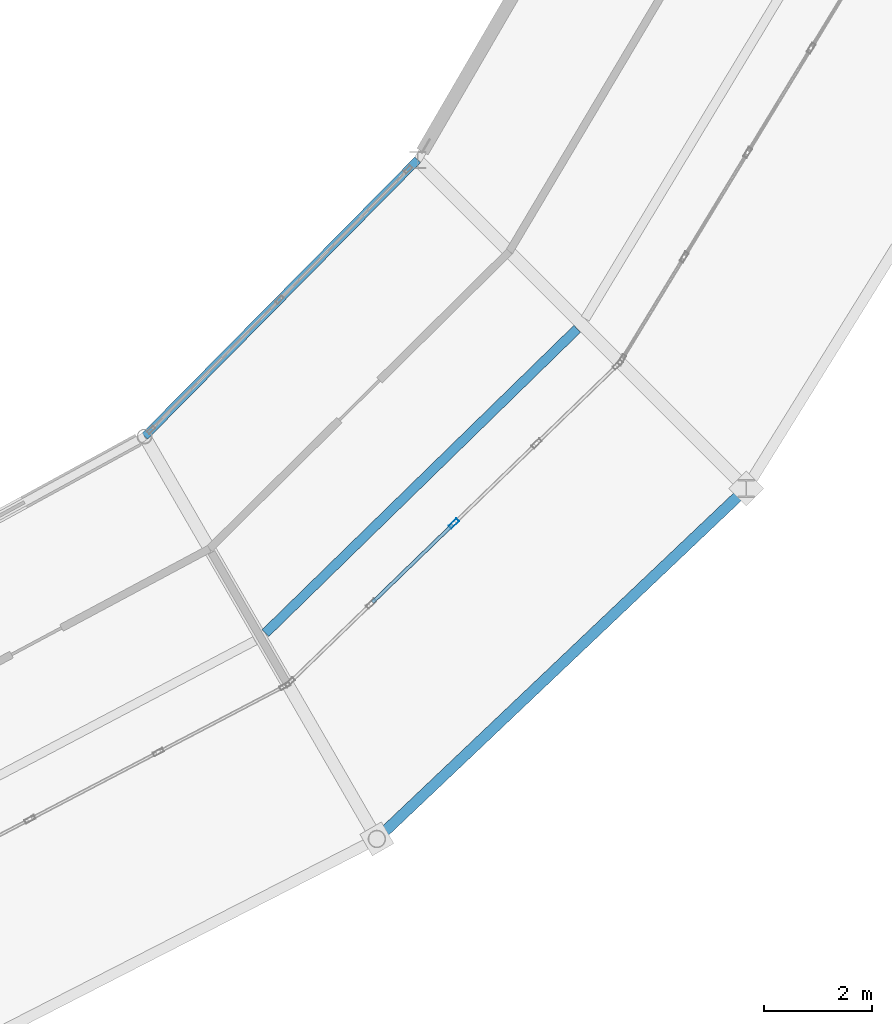
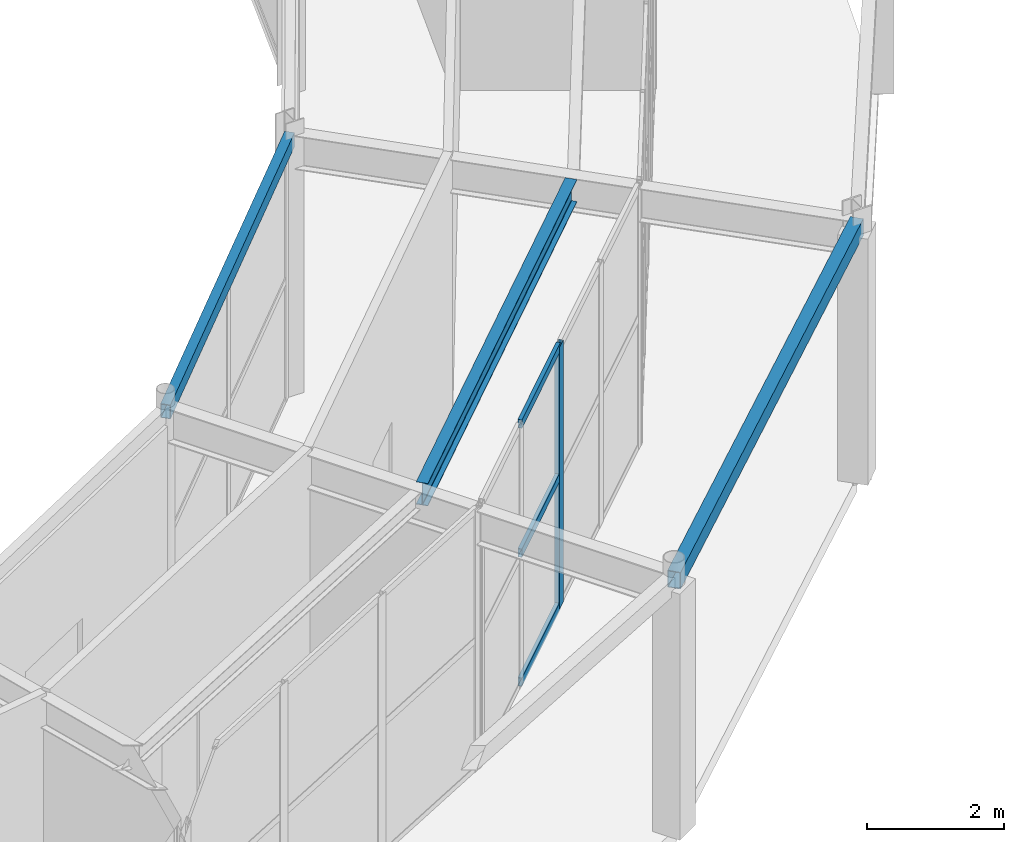
# One storey, part 53 of 144: 4 members, 3 beams, 1 element without a shape of its own.
"""IFC4 building model written with IfcOpenShell, lengths in metres."""

import ifcopenshell
import ifcopenshell.guid

model = None  # the IFC model being written
_history = None  # IfcOwnerHistory: only IFC2X3 demands one
_inside = {}  # id of a spatial element -> (the spatial element, [elements in it])
_under = {}  # id of a project, library or spatial element -> (it, [spatial elements below it])
_declared = {}  # id of a project -> (the project, [libraries it declares])
_typed = {}  # id of a type object -> (the type object, [elements of that type])
_made_of = {}  # id of a material, layer set ... -> (it, [elements and type objects made of it])


def new_model(schema):
    """Start an empty IFC model of exactly this schema.

    Asked for "IFC4X3", IfcOpenShell would pick the latest addendum, in which some entities
    have other attributes; the version numbers below select the first issue.
    IFC2X3 requires an IfcOwnerHistory on every rooted entity: one is made here for all.
    """
    global model, _history
    if schema == "IFC4X3":
        model = ifcopenshell.file(schema_version=(4, 3, 0, 0))
    else:
        model = ifcopenshell.file(schema=schema)
    _inside.clear()
    _under.clear()
    _declared.clear()
    _typed.clear()
    _made_of.clear()
    _history = None
    if model.schema == "IFC2X3":
        org = make("IfcOrganization", Name="unknown")
        user = make(
            "IfcPersonAndOrganization",
            ThePerson=make("IfcPerson", FamilyName="unknown"),
            TheOrganization=org,
        )
        app = make(
            "IfcApplication",
            ApplicationDeveloper=org,
            Version="unknown",
            ApplicationFullName="unknown",
            ApplicationIdentifier="unknown",
        )
        _history = make(
            "IfcOwnerHistory",
            OwningUser=user,
            OwningApplication=app,
            ChangeAction="ADDED",
            CreationDate=0,
        )
    return model


def make(cls, **values):
    """One entity of the class cls with the attributes given. An attribute that is None is left unset."""
    return model.create_entity(
        cls, **{name: value for name, value in values.items() if value is not None}
    )


def rooted(cls, **values):
    """An entity with a GlobalId (a new one), such as an element, a storey or a relation."""
    return make(cls, GlobalId=ifcopenshell.guid.new(), OwnerHistory=_history, **values)


def si_unit(unit_type, name, prefix=None):
    """IfcSIUnit, for example si_unit("LENGTHUNIT", "METRE", prefix="MILLI")."""
    return make("IfcSIUnit", UnitType=unit_type, Prefix=prefix, Name=name)


def assignment(units):
    """IfcUnitAssignment: the units of a project."""
    return None if units is None else make("IfcUnitAssignment", Units=units)


def point(xyz):
    """IfcCartesianPoint."""
    return None if xyz is None else make("IfcCartesianPoint", Coordinates=xyz)


def direction(xyz):
    """IfcDirection."""
    return None if xyz is None else make("IfcDirection", DirectionRatios=xyz)


def frame(location, z_axis=None, x_axis=None):
    """IfcAxis2Placement3D, a coordinate frame: its origin and axes. An axis left out is left unset."""
    return make(
        "IfcAxis2Placement3D",
        Location=point(location),
        Axis=direction(z_axis),
        RefDirection=direction(x_axis),
    )


def frame_2d(location, x_axis=None):
    """IfcAxis2Placement2D, a coordinate frame in the plane: its origin and x axis."""
    return make(
        "IfcAxis2Placement2D", Location=point(location), RefDirection=direction(x_axis)
    )


def origin():
    """The frame at (0, 0, 0) with its axes left unset."""
    return frame((0.0, 0.0, 0.0))


def origin_2d():
    """The frame at (0, 0) in the plane with its x axis left unset."""
    return frame_2d((0.0, 0.0))


def place(relative_to, where):
    """IfcLocalPlacement: puts the frame where relative to a parent placement (None: the world)."""
    return make(
        "IfcLocalPlacement", PlacementRelTo=relative_to, RelativePlacement=where
    )


def context(
    kind, dimensions, precision=None, world=None, true_north=None, identifier=None
):
    """IfcGeometricRepresentationContext, for example the 3D "Model" context."""
    return make(
        "IfcGeometricRepresentationContext",
        ContextIdentifier=identifier,
        ContextType=kind,
        CoordinateSpaceDimension=dimensions,
        Precision=precision,
        WorldCoordinateSystem=world,
        TrueNorth=true_north,
    )


def subcontext(parent, identifier, kind, view, scale=None):
    """IfcGeometricRepresentationSubContext, for example "Body" below "Model"."""
    return make(
        "IfcGeometricRepresentationSubContext",
        ContextIdentifier=identifier,
        ContextType=kind,
        ParentContext=parent,
        TargetScale=scale,
        TargetView=view,
    )


def project(units=None, contexts=None):
    """IfcProject with its units and contexts."""
    return rooted(
        "IfcProject",
        Name="project",
        RepresentationContexts=contexts,
        UnitsInContext=assignment(units),
    )


def spatial(cls, under=None, at=None, **own):
    """A site, building, storey or space (cls), placed at a placement, below another one or the project."""
    s = rooted(cls, ObjectPlacement=at, **own)
    if under is not None:
        _under.setdefault(under.id(), (under, []))[1].append(s)
    return s


def profile(cls, at=None, kind="AREA", **sizes):
    """A parametric profile (cls). Its sizes go by their IFC names, for example OverallWidth=200.0."""
    return make(cls, ProfileType=kind, Position=at, **sizes)


def hollow_rectangle(**sizes):
    """IfcRectangleHollowProfileDef."""
    return profile("IfcRectangleHollowProfileDef", **sizes)


def i_section(**sizes):
    """IfcIShapeProfileDef."""
    return profile("IfcIShapeProfileDef", **sizes)


def extrude(swept, where, along, depth):
    """IfcExtrudedAreaSolid: the profile swept, set in the frame where, extruded along a direction by depth."""
    return make(
        "IfcExtrudedAreaSolid",
        SweptArea=swept,
        Position=where,
        ExtrudedDirection=direction(along),
        Depth=depth,
    )


def shape(context_of_items, identifier, shape_type, items):
    """IfcShapeRepresentation: the items that make up one representation, for example the "Body"."""
    return make(
        "IfcShapeRepresentation",
        ContextOfItems=context_of_items,
        RepresentationIdentifier=identifier,
        RepresentationType=shape_type,
        Items=items,
    )


def material(Name=None, Category=None):
    """IfcMaterial."""
    return make("IfcMaterial", Name=Name, Category=Category)


def material_profile(
    of_material, cross_section, Name=None, Category=None, Priority=None
):
    """IfcMaterialProfile: a cross section and its material."""
    return make(
        "IfcMaterialProfile",
        Name=Name,
        Material=of_material,
        Profile=cross_section,
        Priority=Priority,
        Category=Category,
    )


def profile_set(profiles, Name=None, composite=None):
    """IfcMaterialProfileSet."""
    return make(
        "IfcMaterialProfileSet",
        Name=Name,
        MaterialProfiles=profiles,
        CompositeProfile=composite,
    )


def made_of(thing, what):
    """Note that an element or type object is made of a material, layer set ...; save() writes the relation."""
    if what is not None:
        _made_of.setdefault(what.id(), (what, []))[1].append(thing)
    return thing


def type_object(cls, material=None, **own):
    """A type object (cls), such as IfcWallType, which elements share."""
    return made_of(rooted(cls, **own), material)


def element(
    cls,
    number,
    at=None,
    inside=None,
    cuts=None,
    type_object=None,
    material=None,
    context=None,
    identifier="Body",
    shape_type=None,
    held_by="IfcProductDefinitionShape",
    body=None,
    shapes=None,
    **own,
):
    """One element of the class cls, such as IfcWall. Its Tag is "e" and its number.

    at: its placement. inside: the storey or other place that contains it. cuts: it is an
    opening in that element (IfcRelVoidsElement). A single representation is given by context,
    identifier, shape_type and body (its items); several are given by shapes. held_by: the class
    of the entity that holds the representations. save() writes the other relations.
    """
    e = rooted(cls, Tag="e%d" % number, ObjectPlacement=at, **own)
    if body is not None:
        shapes = [shape(context, identifier, shape_type, body)]
    if shapes is not None:
        e.Representation = make(held_by, Representations=shapes)
    if inside is not None:
        _inside.setdefault(inside.id(), (inside, []))[1].append(e)
    if cuts is not None:
        rooted(
            "IfcRelVoidsElement", RelatingBuildingElement=cuts, RelatedOpeningElement=e
        )
    if type_object is not None:
        _typed.setdefault(type_object.id(), (type_object, []))[1].append(e)
    return made_of(e, material)


def aggregate(whole, parts):
    """IfcRelAggregates: a whole, such as a stair, and the parts it consists of."""
    return rooted("IfcRelAggregates", RelatingObject=whole, RelatedObjects=parts)


def save(model, path):
    """Write the relations noted so far, then the file.

    IfcRelAggregates (storeys below a building ...), IfcRelContainedInSpatialStructure (elements
    in a storey), IfcRelDefinesByType, IfcRelAssociatesMaterial and IfcRelDeclares: one each for
    every whole, place, type object, material and project.
    """
    for whole, parts in _under.values():
        aggregate(whole, parts)
    for where, things in _inside.values():
        rooted(
            "IfcRelContainedInSpatialStructure",
            RelatedElements=things,
            RelatingStructure=where,
        )
    for kind, things in _typed.values():
        rooted("IfcRelDefinesByType", RelatedObjects=things, RelatingType=kind)
    for what, things in _made_of.values():
        rooted("IfcRelAssociatesMaterial", RelatedObjects=things, RelatingMaterial=what)
    for by, libraries in _declared.values():
        rooted("IfcRelDeclares", RelatingContext=by, RelatedDefinitions=libraries)
    model.write(path)


model = new_model("IFC4")

# Units and contexts
model_context = context("Model", 3, precision=1e-05, world=origin(), true_north=direction((0.0, 1.0)))
body_context = subcontext(model_context, "Body", "Model", "MODEL_VIEW")
ifc_project = project(units=[si_unit("LENGTHUNIT", "METRE"), si_unit("AREAUNIT", "SQUARE_METRE"), si_unit("VOLUMEUNIT", "CUBIC_METRE"), si_unit("PLANEANGLEUNIT", "RADIAN"), si_unit("MASSUNIT", "GRAM", prefix="KILO")], contexts=[model_context])

# Site, building, storey
site_placement = place(None, origin())
site = spatial("IfcSite", under=ifc_project, at=site_placement, CompositionType="ELEMENT")
building_placement = place(site_placement, origin())
building = spatial("IfcBuilding", under=site, at=building_placement, Name="Karori Crest Natural Sciences Institute", CompositionType="ELEMENT")
storey_placement = place(building_placement, origin())
storey = spatial("IfcBuildingStorey", under=building, at=storey_placement, Name="L00", CompositionType="ELEMENT", Elevation=0.0)

# Beams
ifc_material_1 = material(Name="Hollow structural steel AS/NZS 1163 Grade C350", Category="steel")
ifc_material_profile_1 = material_profile(ifc_material_1, hollow_rectangle(XDim=0.199951171875, YDim=0.300048828125, WallThickness=0.010009765625, at=origin_2d()), Name="RHS300x200x10")
ifc_profile_set_1 = profile_set([ifc_material_profile_1], Name="Hollow structural steel AS/NZS 1163 Grade C350")
beam_type_1 = type_object("IfcBeamType", Name="BT-15", PredefinedType="SPANDREL", material=ifc_profile_set_1)
beam_1_placement = place(storey_placement, frame((82.89990234375, 14.566162109375, 4.489990234375), z_axis=(0.725481282589, 0.688241896874, 0.0), x_axis=(-0.688241896874, 0.725481282589, 0.0)))
element("IfcBeam", 1, at=beam_1_placement, inside=storey, type_object=beam_type_1, Name="Beam B-0166", PredefinedType="SPANDREL", context=body_context, shape_type="SweptSolid", body=[
    extrude(hollow_rectangle(XDim=0.199951171875, YDim=0.300048828125, WallThickness=0.010009765625, at=origin_2d()), origin(), (0.0, 0.0, 1.0), 9.4208984375),
])
ifc_material_profile_2 = material_profile(ifc_material_1, hollow_rectangle(XDim=0.14990234375, YDim=0.25, WallThickness=0.009033203125, at=origin_2d()), Name="RHS250x150x9")
ifc_profile_set_2 = profile_set([ifc_material_profile_2], Name="Hollow structural steel AS/NZS 1163 Grade C350")
beam_type_2 = type_object("IfcBeamType", Name="BT-16", PredefinedType="SPANDREL", material=ifc_profile_set_2)
beam_2_placement = place(storey_placement, frame((78.60009765625, 22.013916015625, 4.489990234375), z_axis=(0.702645672149, 0.711539921164, 0.0), x_axis=(-0.711539921164, 0.702645672149, 0.0)))
element("IfcBeam", 2, at=beam_2_placement, inside=storey, type_object=beam_type_2, Name="Beam B-0167", PredefinedType="SPANDREL", context=body_context, shape_type="SweptSolid", body=[
    extrude(hollow_rectangle(XDim=0.14990234375, YDim=0.25, WallThickness=0.009033203125, at=origin_2d()), origin(), (0.0, 0.0, 1.0), 7.191650390625),
])
ifc_material_2 = material(Name="Structural steel AS/NZS 3679.1 Grade 350", Category="steel")
ifc_material_profile_3 = material_profile(ifc_material_2, i_section(OverallWidth=0.177978515625, OverallDepth=0.403076171875, WebThickness=0.007568359375, FlangeThickness=0.010986328125, FilletRadius=0.010986328125, at=origin_2d()), Name="410UB53.7")
ifc_profile_set_3 = profile_set([ifc_material_profile_3], Name="Structural steel AS/NZS 3679.1 Grade 350")
beam_type_3 = type_object("IfcBeamType", Name="BT-29", PredefinedType="BEAM", material=ifc_profile_set_3)
beam_3_placement = place(storey_placement, frame((80.8359375, 18.373779296875, 4.4384765625), z_axis=(0.715681193625, 0.698427110794, 0.0), x_axis=(-0.698427110794, 0.715681193625, 0.0)))
element("IfcBeam", 3, at=beam_3_placement, inside=storey, type_object=beam_type_3, Name="Beam B-0169", PredefinedType="BEAM", context=body_context, shape_type="SweptSolid", body=[
    extrude(i_section(OverallWidth=0.177978515625, OverallDepth=0.403076171875, WebThickness=0.007568359375, FlangeThickness=0.010986328125, FilletRadius=0.010986328125, at=origin_2d()), origin(), (0.0, 0.0, 1.0), 8.0654296875),
])

# Curtain wall, members
ifc_material_3 = material(Name="Anodised architectural aluminium 6063-T6", Category="aluminium")
curtain_wall_type = type_object("IfcCurtainWallType", Name="CWT-01", PredefinedType="NOTDEFINED", material=ifc_material_3)
curtain_wall_placement = place(storey_placement, origin())
curtain_wall = element("IfcCurtainWall", 4, at=curtain_wall_placement, inside=storey, type_object=curtain_wall_type, Name="Curtain wall CW-0025", PredefinedType="NOTDEFINED")
ifc_material_profile_4 = material_profile(ifc_material_3, hollow_rectangle(XDim=0.074951171875, YDim=0.199951171875, WallThickness=0.0048828125, at=origin_2d()), Name="CWM200x75x5")
ifc_profile_set_4 = profile_set([ifc_material_profile_4], Name="Anodised architectural aluminium 6063-T6")
member_type_1 = type_object("IfcMemberType", Name="CWM-02", PredefinedType="MULLION", material=ifc_profile_set_4)
member_1_placement = place(storey_placement, frame((84.325439453125, 20.40380859375, 0.0), z_axis=(0.0, 0.0, 1.0), x_axis=(0.695838899401, -0.718197901752, 0.0)))
member_1 = element("IfcMember", 5, at=member_1_placement, type_object=member_type_1, Name="CW-0025 mullion 3", PredefinedType="MULLION", context=body_context, shape_type="SweptSolid", body=[
    extrude(hollow_rectangle(XDim=0.074951171875, YDim=0.199951171875, WallThickness=0.0048828125, at=origin_2d()), origin(), (0.0, 0.0, 1.0), 4.679931640625),
])
ifc_material_profile_5 = material_profile(ifc_material_3, hollow_rectangle(XDim=0.06494140625, YDim=0.14990234375, WallThickness=0.00390625, at=origin_2d()), Name="CWT150x65x4")
ifc_profile_set_5 = profile_set([ifc_material_profile_5], Name="Anodised architectural aluminium 6063-T6")
member_type_2 = type_object("IfcMemberType", Name="CWT-TR2", PredefinedType="USERDEFINED", material=ifc_profile_set_5)
member_2_placement = place(storey_placement, frame((84.298583984375, 20.377685546875, 0.032470703125), z_axis=(-0.718180876669, -0.695856471111, 0.0), x_axis=(0.695856471111, -0.718180876669, 0.0)))
member_2 = element("IfcMember", 6, at=member_2_placement, type_object=member_type_2, Name="CW-0025 transom 3.1", ObjectType="TRANSOM", PredefinedType="USERDEFINED", context=body_context, shape_type="SweptSolid", body=[
    extrude(hollow_rectangle(XDim=0.06494140625, YDim=0.14990234375, WallThickness=0.00390625, at=origin_2d()), origin(), (0.0, 0.0, 1.0), 2.055908203125),
])
member_3_placement = place(storey_placement, frame((84.298583984375, 20.377685546875, 2.340087890625), z_axis=(-0.718180876669, -0.695856471111, 0.0), x_axis=(0.695856471111, -0.718180876669, 0.0)))
member_3 = element("IfcMember", 7, at=member_3_placement, type_object=member_type_2, Name="CW-0025 transom 3.2", ObjectType="TRANSOM", PredefinedType="USERDEFINED", context=body_context, shape_type="SweptSolid", body=[
    extrude(hollow_rectangle(XDim=0.06494140625, YDim=0.14990234375, WallThickness=0.00390625, at=origin_2d()), origin(), (0.0, 0.0, 1.0), 2.055908203125),
])
member_4_placement = place(storey_placement, frame((84.298583984375, 20.377685546875, 4.6474609375), z_axis=(-0.718180876669, -0.695856471111, 0.0), x_axis=(0.695856471111, -0.718180876669, 0.0)))
member_4 = element("IfcMember", 8, at=member_4_placement, type_object=member_type_2, Name="CW-0025 transom 3.3", ObjectType="TRANSOM", PredefinedType="USERDEFINED", context=body_context, shape_type="SweptSolid", body=[
    extrude(hollow_rectangle(XDim=0.06494140625, YDim=0.14990234375, WallThickness=0.00390625, at=origin_2d()), origin(), (0.0, 0.0, 1.0), 2.055908203125),
])
aggregate(curtain_wall, [member_1, member_2, member_3, member_4])

save(model, "model.ifc")
